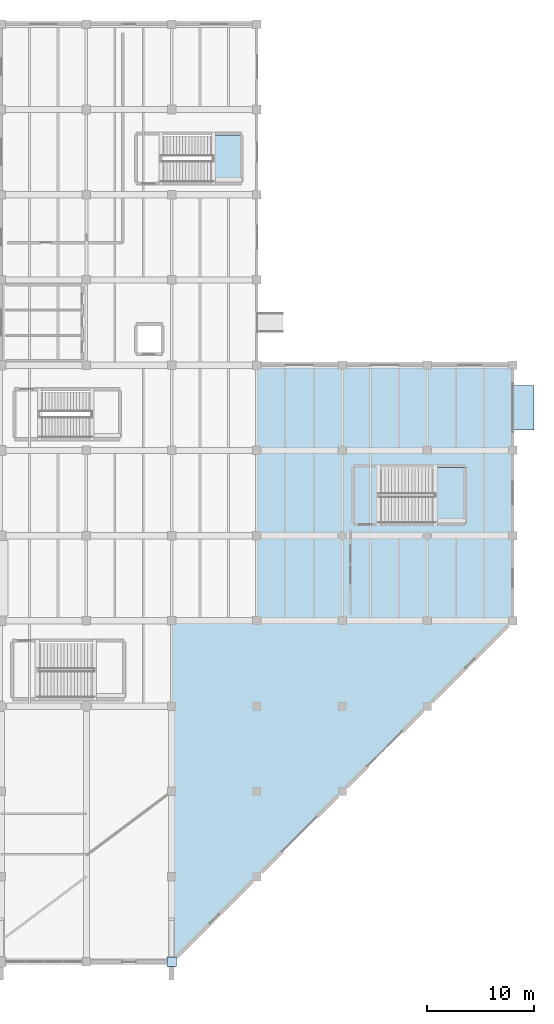
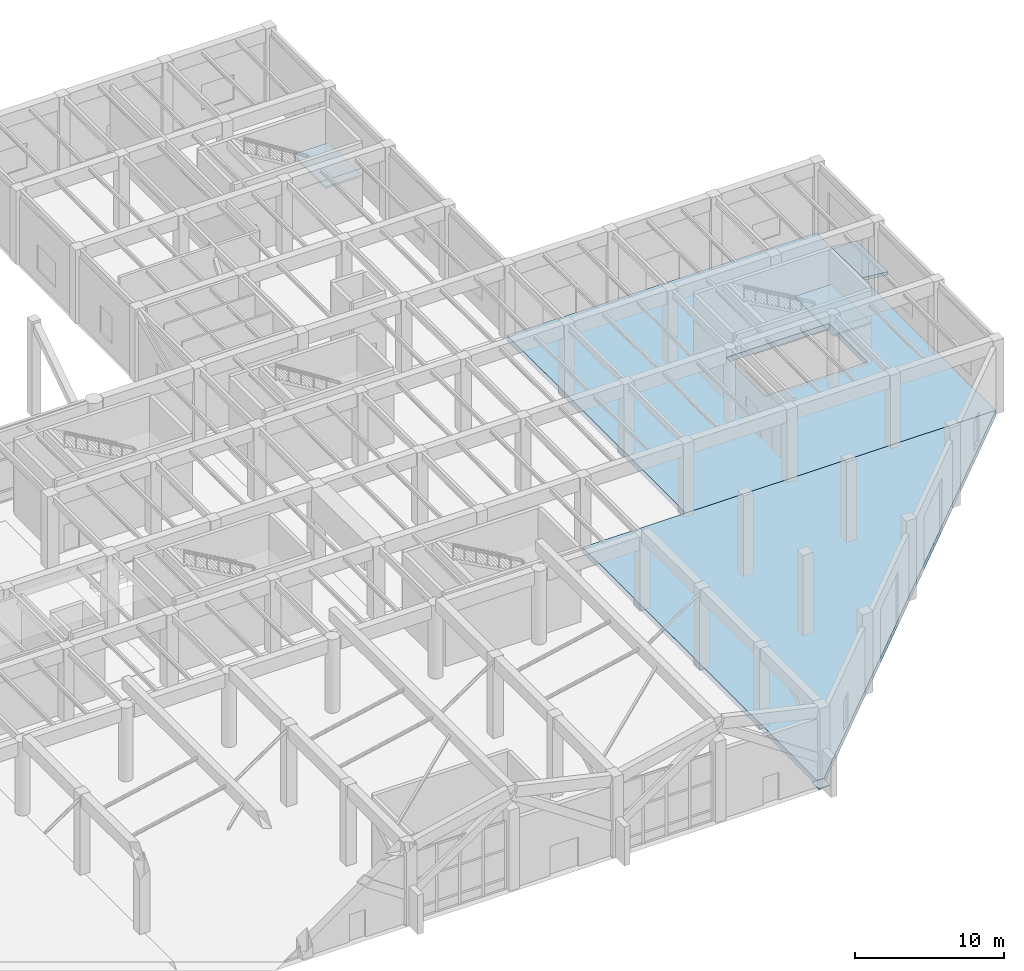
# One storey, part 30 of 51: 5 slabs, 1 plate, 2 elements without a shape of their own.
"""IFC4 building model written with IfcOpenShell, lengths in metres."""

from ifc_helpers import new_model, si_unit, direction, frame, origin, origin_2d, place, context, subcontext, project, spatial, polyline, rectangle, outline, extrude, material, layer, layer_set, type_object, element, aggregate, save


model = new_model("IFC4")

# Units and contexts
model_context = context("Model", 3, precision=1e-05, world=origin(), true_north=direction((0.0, 1.0)))
body_context = subcontext(model_context, "Body", "Model", "MODEL_VIEW")
ifc_project = project(units=[si_unit("LENGTHUNIT", "METRE"), si_unit("AREAUNIT", "SQUARE_METRE"), si_unit("VOLUMEUNIT", "CUBIC_METRE"), si_unit("PLANEANGLEUNIT", "RADIAN"), si_unit("MASSUNIT", "GRAM", prefix="KILO")], contexts=[model_context])

# Site, building, storey
site_placement = place(None, origin())
site = spatial("IfcSite", under=ifc_project, at=site_placement, CompositionType="ELEMENT")
building_placement = place(site_placement, origin())
building = spatial("IfcBuilding", under=site, at=building_placement, Name="Varnela Railside Interchange", CompositionType="ELEMENT")
storey_placement = place(building_placement, origin())
storey = spatial("IfcBuildingStorey", under=building, at=storey_placement, Name="L00", CompositionType="ELEMENT", Elevation=0.0)

# Slabs
ifc_material_1 = material(Name="Concrete C40", Category="concrete")
ifc_layer_1 = layer(ifc_material_1, 0.449951171875)
ifc_layer_set_1 = layer_set([ifc_layer_1], Name="Concrete C40")
slab_type_1 = type_object("IfcSlabType", Name="Bus & Interchange Deck Slab SL-L00", PredefinedType="FLOOR", material=ifc_layer_set_1)
slab_1_placement = place(storey_placement, frame((0.0, 0.0, -0.449951171875)))
element("IfcSlab", 1, at=slab_1_placement, inside=storey, type_object=slab_type_1, Name="Bus & Interchange Deck Slab SL-L00 (L00) (SL-0061)", PredefinedType="FLOOR", context=body_context, shape_type="SweptSolid", body=[
    extrude(outline(polyline([(132.0, 6.0), (164.0, 38.0), (132.0, 38.0), (132.0, 6.0)])), origin(), (0.0, 0.0, 1.0), 0.449951171875),
])
slab_2_placement = place(storey_placement, frame((0.0, 0.0, -0.449951171875)))
element("IfcSlab", 2, at=slab_2_placement, inside=storey, type_object=slab_type_1, Name="Bus & Interchange Deck Slab SL-L00 (L00) (SL-0055)", PredefinedType="FLOOR", context=body_context, shape_type="SweptSolid", body=[
    extrude(outline(polyline([(140.0, 38.0), (164.0, 38.0), (164.0, 62.0), (140.0, 62.0), (140.0, 38.0)]), holes=[polyline([(151.429931640625, 47.199951171875), (159.39990234375, 47.199951171875), (159.39990234375, 52.39990234375), (151.429931640625, 52.39990234375), (151.429931640625, 47.199951171875)])]), origin(), (0.0, 0.0, 1.0), 0.449951171875),
])

# Stair, slab
stair_type_1 = type_object("IfcStairType", Name="Study Pavilion Stair ST-180", PredefinedType="TWO_STRAIGHT_RUN_STAIR", material=ifc_material_1)
stair_1_placement = place(storey_placement, origin())
stair_1 = element("IfcStair", 3, at=stair_1_placement, inside=storey, type_object=stair_type_1, Name="Stair ST-E2 (L00) (SF-100)", PredefinedType="TWO_STRAIGHT_RUN_STAIR")
ifc_layer_2 = layer(ifc_material_1, 0.159912109375)
ifc_layer_set_2 = layer_set([ifc_layer_2], Name="Concrete C40")
slab_type_2 = type_object("IfcSlabType", Name="Stair Half-Landing Slab SL-LD", PredefinedType="LANDING", material=ifc_layer_set_2)
slab_3_placement = place(storey_placement, frame((0.0, 0.0, 2.989990234375)))
slab_3 = element("IfcSlab", 4, at=slab_3_placement, type_object=slab_type_2, Name="ST-E2 landing 1 (SL-0069)", PredefinedType="LANDING", context=body_context, shape_type="SweptSolid", body=[
    extrude(outline(polyline([(135.89990234375, 79.199951171875), (138.659912109375, 79.199951171875), (138.659912109375, 83.60009765625), (135.89990234375, 83.60009765625), (135.89990234375, 79.199951171875)])), origin(), (0.0, 0.0, 1.0), 0.159912109375),
])
aggregate(stair_1, [slab_3])

stair_type_2 = type_object("IfcStairType", Name="Concourse Public Stair ST-235", PredefinedType="TWO_STRAIGHT_RUN_STAIR", material=ifc_material_1)
stair_2_placement = place(storey_placement, origin())
stair_2 = element("IfcStair", 5, at=stair_2_placement, inside=storey, type_object=stair_type_2, Name="Stair ST-E3 (L00) (SF-103)", PredefinedType="TWO_STRAIGHT_RUN_STAIR")
slab_4_placement = place(storey_placement, frame((0.0, 0.0, 2.989990234375)))
slab_4 = element("IfcSlab", 6, at=slab_4_placement, type_object=slab_type_2, Name="ST-E3 landing 1 (SL-0070)", PredefinedType="LANDING", context=body_context, shape_type="SweptSolid", body=[
    extrude(outline(polyline([(156.72509765625, 47.199951171875), (159.659912109375, 47.199951171875), (159.659912109375, 52.39990234375), (156.72509765625, 52.39990234375), (156.72509765625, 47.199951171875)])), origin(), (0.0, 0.0, 1.0), 0.159912109375),
])
aggregate(stair_2, [slab_4])

# Plate
ifc_material_2 = material(Name="Steel AR 350 (350 MPa)", Category="steel")
ifc_layer_3 = layer(ifc_material_2, 0.050048828125)
ifc_layer_set_3 = layer_set([ifc_layer_3], Name="Steel AR 350 (350 MPa)")
plate_type = type_object("IfcPlateType", Name="V-Pier Base Bearing Plate BP-01", PredefinedType="SHEET", material=ifc_layer_set_3)
plate_placement = place(storey_placement, frame((132.0, 6.0, 0.0), z_axis=(0.0, 0.0, 1.0), x_axis=(1.0, 0.0, 0.0)))
element("IfcPlate", 7, at=plate_placement, inside=storey, type_object=plate_type, Name="V-Pier Base Bearing Plate BP-01 (L00) (PL-012)", PredefinedType="SHEET", context=body_context, shape_type="SweptSolid", body=[
    extrude(rectangle(XDim=0.89990234375, YDim=0.89990234375, at=origin_2d()), origin(), (0.0, 0.0, 1.0), 0.050048828125),
])

# Slab
ifc_layer_4 = layer(ifc_material_1, 0.25)
ifc_layer_set_4 = layer_set([ifc_layer_4], Name="Concrete C40")
slab_type_3 = type_object("IfcSlabType", Name="Vehicle Ramp Slab RS-01", PredefinedType="USERDEFINED", material=ifc_layer_set_4)
slab_5_placement = place(storey_placement, frame((164.0, 60.10009765625, 0.0), z_axis=(0.099479666557, 0.0, 0.995039595163), x_axis=(0.995039595163, 0.0, -0.099479666557)))
element("IfcSlab", 8, at=slab_5_placement, inside=storey, type_object=slab_type_3, Name="East Loading Bay Vehicle Ramp R2 (SL-0226)", ObjectType="RAMP", PredefinedType="USERDEFINED", context=body_context, shape_type="SweptSolid", body=[
    extrude(outline(polyline([(0.0, 0.0), (2.0099702662313654, 0.0), (2.0099702662313654, -4.2001953125), (0.0, -4.2001953125), (0.0, 0.0)])), origin(), (0.0, 0.0, -1.0), 0.25),
])

save(model, "model.ifc")
